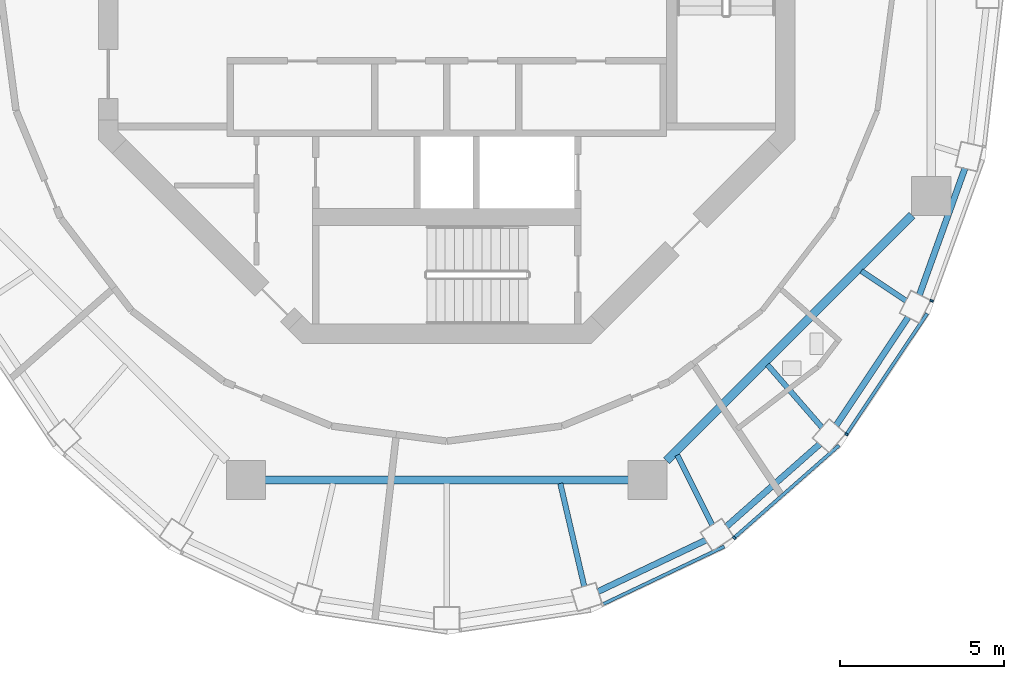
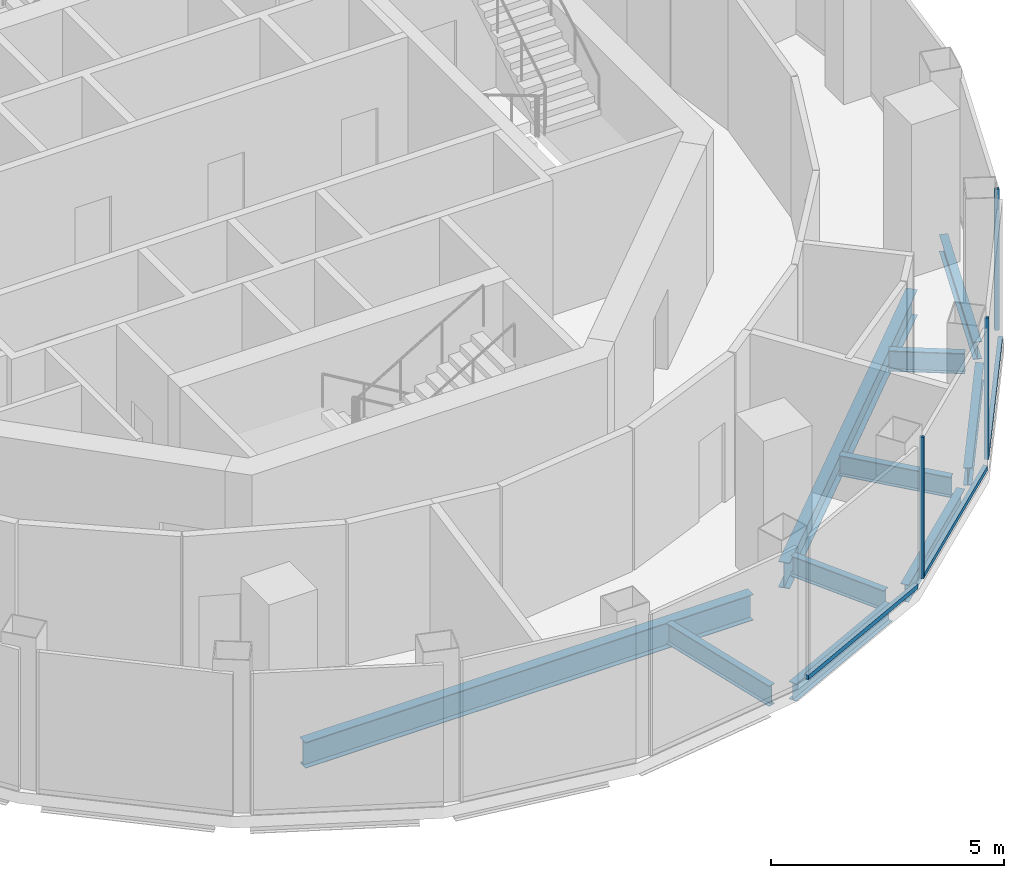
# One storey, part 3 of 12: 10 beams, 6 members, 4 elements without a shape of their own.
"""IFC4 building model written with IfcOpenShell, lengths in metres."""

import ifcopenshell
import ifcopenshell.guid

model = None  # the IFC model being written
_history = None  # IfcOwnerHistory: only IFC2X3 demands one
_inside = {}  # id of a spatial element -> (the spatial element, [elements in it])
_under = {}  # id of a project, library or spatial element -> (it, [spatial elements below it])
_declared = {}  # id of a project -> (the project, [libraries it declares])
_typed = {}  # id of a type object -> (the type object, [elements of that type])
_made_of = {}  # id of a material, layer set ... -> (it, [elements and type objects made of it])


def new_model(schema):
    """Start an empty IFC model of exactly this schema.

    Asked for "IFC4X3", IfcOpenShell would pick the latest addendum, in which some entities
    have other attributes; the version numbers below select the first issue.
    IFC2X3 requires an IfcOwnerHistory on every rooted entity: one is made here for all.
    """
    global model, _history
    if schema == "IFC4X3":
        model = ifcopenshell.file(schema_version=(4, 3, 0, 0))
    else:
        model = ifcopenshell.file(schema=schema)
    _inside.clear()
    _under.clear()
    _declared.clear()
    _typed.clear()
    _made_of.clear()
    _history = None
    if model.schema == "IFC2X3":
        org = make("IfcOrganization", Name="unknown")
        user = make(
            "IfcPersonAndOrganization",
            ThePerson=make("IfcPerson", FamilyName="unknown"),
            TheOrganization=org,
        )
        app = make(
            "IfcApplication",
            ApplicationDeveloper=org,
            Version="unknown",
            ApplicationFullName="unknown",
            ApplicationIdentifier="unknown",
        )
        _history = make(
            "IfcOwnerHistory",
            OwningUser=user,
            OwningApplication=app,
            ChangeAction="ADDED",
            CreationDate=0,
        )
    return model


def make(cls, **values):
    """One entity of the class cls with the attributes given. An attribute that is None is left unset."""
    return model.create_entity(
        cls, **{name: value for name, value in values.items() if value is not None}
    )


def rooted(cls, **values):
    """An entity with a GlobalId (a new one), such as an element, a storey or a relation."""
    return make(cls, GlobalId=ifcopenshell.guid.new(), OwnerHistory=_history, **values)


def si_unit(unit_type, name, prefix=None):
    """IfcSIUnit, for example si_unit("LENGTHUNIT", "METRE", prefix="MILLI")."""
    return make("IfcSIUnit", UnitType=unit_type, Prefix=prefix, Name=name)


def assignment(units):
    """IfcUnitAssignment: the units of a project."""
    return None if units is None else make("IfcUnitAssignment", Units=units)


def point(xyz):
    """IfcCartesianPoint."""
    return None if xyz is None else make("IfcCartesianPoint", Coordinates=xyz)


def direction(xyz):
    """IfcDirection."""
    return None if xyz is None else make("IfcDirection", DirectionRatios=xyz)


def frame(location, z_axis=None, x_axis=None):
    """IfcAxis2Placement3D, a coordinate frame: its origin and axes. An axis left out is left unset."""
    return make(
        "IfcAxis2Placement3D",
        Location=point(location),
        Axis=direction(z_axis),
        RefDirection=direction(x_axis),
    )


def frame_2d(location, x_axis=None):
    """IfcAxis2Placement2D, a coordinate frame in the plane: its origin and x axis."""
    return make(
        "IfcAxis2Placement2D", Location=point(location), RefDirection=direction(x_axis)
    )


def origin():
    """The frame at (0, 0, 0) with its axes left unset."""
    return frame((0.0, 0.0, 0.0))


def origin_2d():
    """The frame at (0, 0) in the plane with its x axis left unset."""
    return frame_2d((0.0, 0.0))


def place(relative_to, where):
    """IfcLocalPlacement: puts the frame where relative to a parent placement (None: the world)."""
    return make(
        "IfcLocalPlacement", PlacementRelTo=relative_to, RelativePlacement=where
    )


def context(
    kind, dimensions, precision=None, world=None, true_north=None, identifier=None
):
    """IfcGeometricRepresentationContext, for example the 3D "Model" context."""
    return make(
        "IfcGeometricRepresentationContext",
        ContextIdentifier=identifier,
        ContextType=kind,
        CoordinateSpaceDimension=dimensions,
        Precision=precision,
        WorldCoordinateSystem=world,
        TrueNorth=true_north,
    )


def subcontext(parent, identifier, kind, view, scale=None):
    """IfcGeometricRepresentationSubContext, for example "Body" below "Model"."""
    return make(
        "IfcGeometricRepresentationSubContext",
        ContextIdentifier=identifier,
        ContextType=kind,
        ParentContext=parent,
        TargetScale=scale,
        TargetView=view,
    )


def project(units=None, contexts=None):
    """IfcProject with its units and contexts."""
    return rooted(
        "IfcProject",
        Name="project",
        RepresentationContexts=contexts,
        UnitsInContext=assignment(units),
    )


def spatial(cls, under=None, at=None, **own):
    """A site, building, storey or space (cls), placed at a placement, below another one or the project."""
    s = rooted(cls, ObjectPlacement=at, **own)
    if under is not None:
        _under.setdefault(under.id(), (under, []))[1].append(s)
    return s


def profile(cls, at=None, kind="AREA", **sizes):
    """A parametric profile (cls). Its sizes go by their IFC names, for example OverallWidth=200.0."""
    return make(cls, ProfileType=kind, Position=at, **sizes)


def rectangle(**sizes):
    """IfcRectangleProfileDef."""
    return profile("IfcRectangleProfileDef", **sizes)


def i_section(**sizes):
    """IfcIShapeProfileDef."""
    return profile("IfcIShapeProfileDef", **sizes)


def extrude(swept, where, along, depth):
    """IfcExtrudedAreaSolid: the profile swept, set in the frame where, extruded along a direction by depth."""
    return make(
        "IfcExtrudedAreaSolid",
        SweptArea=swept,
        Position=where,
        ExtrudedDirection=direction(along),
        Depth=depth,
    )


def shape(context_of_items, identifier, shape_type, items):
    """IfcShapeRepresentation: the items that make up one representation, for example the "Body"."""
    return make(
        "IfcShapeRepresentation",
        ContextOfItems=context_of_items,
        RepresentationIdentifier=identifier,
        RepresentationType=shape_type,
        Items=items,
    )


def material(Name=None, Category=None):
    """IfcMaterial."""
    return make("IfcMaterial", Name=Name, Category=Category)


def layer(
    of_material, thickness, ventilated=None, Name=None, Category=None, Priority=None
):
    """IfcMaterialLayer: one layer of a wall or slab, of a material (None: an air gap)."""
    return make(
        "IfcMaterialLayer",
        Material=of_material,
        LayerThickness=thickness,
        IsVentilated=ventilated,
        Name=Name,
        Category=Category,
        Priority=Priority,
    )


def layer_set(layers, Name=None):
    """IfcMaterialLayerSet."""
    return make("IfcMaterialLayerSet", MaterialLayers=layers, LayerSetName=Name)


def material_profile(
    of_material, cross_section, Name=None, Category=None, Priority=None
):
    """IfcMaterialProfile: a cross section and its material."""
    return make(
        "IfcMaterialProfile",
        Name=Name,
        Material=of_material,
        Profile=cross_section,
        Priority=Priority,
        Category=Category,
    )


def profile_set(profiles, Name=None, composite=None):
    """IfcMaterialProfileSet."""
    return make(
        "IfcMaterialProfileSet",
        Name=Name,
        MaterialProfiles=profiles,
        CompositeProfile=composite,
    )


def made_of(thing, what):
    """Note that an element or type object is made of a material, layer set ...; save() writes the relation."""
    if what is not None:
        _made_of.setdefault(what.id(), (what, []))[1].append(thing)
    return thing


def type_object(cls, material=None, **own):
    """A type object (cls), such as IfcWallType, which elements share."""
    return made_of(rooted(cls, **own), material)


def element(
    cls,
    number,
    at=None,
    inside=None,
    cuts=None,
    type_object=None,
    material=None,
    context=None,
    identifier="Body",
    shape_type=None,
    held_by="IfcProductDefinitionShape",
    body=None,
    shapes=None,
    **own,
):
    """One element of the class cls, such as IfcWall. Its Tag is "e" and its number.

    at: its placement. inside: the storey or other place that contains it. cuts: it is an
    opening in that element (IfcRelVoidsElement). A single representation is given by context,
    identifier, shape_type and body (its items); several are given by shapes. held_by: the class
    of the entity that holds the representations. save() writes the other relations.
    """
    e = rooted(cls, Tag="e%d" % number, ObjectPlacement=at, **own)
    if body is not None:
        shapes = [shape(context, identifier, shape_type, body)]
    if shapes is not None:
        e.Representation = make(held_by, Representations=shapes)
    if inside is not None:
        _inside.setdefault(inside.id(), (inside, []))[1].append(e)
    if cuts is not None:
        rooted(
            "IfcRelVoidsElement", RelatingBuildingElement=cuts, RelatedOpeningElement=e
        )
    if type_object is not None:
        _typed.setdefault(type_object.id(), (type_object, []))[1].append(e)
    return made_of(e, material)


def aggregate(whole, parts):
    """IfcRelAggregates: a whole, such as a stair, and the parts it consists of."""
    return rooted("IfcRelAggregates", RelatingObject=whole, RelatedObjects=parts)


def save(model, path):
    """Write the relations noted so far, then the file.

    IfcRelAggregates (storeys below a building ...), IfcRelContainedInSpatialStructure (elements
    in a storey), IfcRelDefinesByType, IfcRelAssociatesMaterial and IfcRelDeclares: one each for
    every whole, place, type object, material and project.
    """
    for whole, parts in _under.values():
        aggregate(whole, parts)
    for where, things in _inside.values():
        rooted(
            "IfcRelContainedInSpatialStructure",
            RelatedElements=things,
            RelatingStructure=where,
        )
    for kind, things in _typed.values():
        rooted("IfcRelDefinesByType", RelatedObjects=things, RelatingType=kind)
    for what, things in _made_of.values():
        rooted("IfcRelAssociatesMaterial", RelatedObjects=things, RelatingMaterial=what)
    for by, libraries in _declared.values():
        rooted("IfcRelDeclares", RelatingContext=by, RelatedDefinitions=libraries)
    model.write(path)


model = new_model("IFC4")

# Units and contexts
model_context = context("Model", 3, precision=1e-05, world=origin(), true_north=direction((0.0, 1.0)))
body_context = subcontext(model_context, "Body", "Model", "MODEL_VIEW")
ifc_project = project(units=[si_unit("LENGTHUNIT", "METRE"), si_unit("AREAUNIT", "SQUARE_METRE"), si_unit("VOLUMEUNIT", "CUBIC_METRE"), si_unit("PLANEANGLEUNIT", "RADIAN"), si_unit("MASSUNIT", "GRAM", prefix="KILO")], contexts=[model_context])

# Site, building, storey
site_placement = place(None, origin())
site = spatial("IfcSite", under=ifc_project, at=site_placement, CompositionType="ELEMENT")
building_placement = place(site_placement, origin())
building = spatial("IfcBuilding", under=site, at=building_placement, Name="Nagisa Residences", CompositionType="ELEMENT")
storey_placement = place(building_placement, frame((0.0, 0.0, 328.89990234375)))
storey = spatial("IfcBuildingStorey", under=building, at=storey_placement, Name="L81", CompositionType="ELEMENT", Elevation=328.89990234375)

# Curtain wall, member
ifc_material_1 = material(Name="Aluminium curtain wall system", Category="aluminium")
ifc_layer = layer(ifc_material_1, 0.159912109375)
ifc_layer_set = layer_set([ifc_layer], Name="CW5 CURTAIN WALL")
curtain_wall_type = type_object("IfcCurtainWallType", Name="CW5 CURTAIN WALL", PredefinedType="NOTDEFINED", material=ifc_layer_set)
curtain_wall_1_placement = place(storey_placement, origin())
curtain_wall_1 = element("IfcCurtainWall", 1, at=curtain_wall_1_placement, inside=storey, type_object=curtain_wall_type, Name="cw:CW5:L81:20", PredefinedType="NOTDEFINED")
ifc_material_2 = material(Name="Aluminium", Category="aluminium")
ifc_material_profile_1 = material_profile(ifc_material_2, rectangle(XDim=0.10009765625, YDim=0.06005859375, at=origin_2d()), Name="CW5 MULLION 100x60")
ifc_profile_set_1 = profile_set([ifc_material_profile_1], Name="Aluminium")
member_type_1 = type_object("IfcMemberType", Name="CW5 MULLION 100x60", PredefinedType="MULLION", material=ifc_profile_set_1)
member_1_placement = place(storey_placement, frame((8.77001953125, -16.54345703125, 0.0), z_axis=(0.0, 0.0, 1.0), x_axis=(-0.660699467703, 0.750650526795, 0.0)))
member_1 = element("IfcMember", 2, at=member_1_placement, type_object=member_type_1, Name="CW5 mullion", PredefinedType="MULLION", context=body_context, shape_type="SweptSolid", body=[
    extrude(rectangle(XDim=0.10009765625, YDim=0.06005859375, at=origin_2d()), origin(), (0.0, 0.0, 1.0), 3.7001953125),
])

curtain_wall_2_placement = place(storey_placement, origin())
curtain_wall_2 = element("IfcCurtainWall", 3, at=curtain_wall_2_placement, inside=storey, type_object=curtain_wall_type, Name="cw:CW5:L81:21", PredefinedType="NOTDEFINED")
member_2_placement = place(storey_placement, frame((12.193359375, -13.38671875, 0.0), z_axis=(0.0, 0.0, 1.0), x_axis=(-0.831172662415, 0.556014393027, 0.0)))
member_2 = element("IfcMember", 4, at=member_2_placement, type_object=member_type_1, Name="CW5 mullion", PredefinedType="MULLION", context=body_context, shape_type="SweptSolid", body=[
    extrude(rectangle(XDim=0.10009765625, YDim=0.06005859375, at=origin_2d()), origin(), (0.0, 0.0, 1.0), 3.7001953125),
])

curtain_wall_3_placement = place(storey_placement, origin())
curtain_wall_3 = element("IfcCurtainWall", 5, at=curtain_wall_3_placement, inside=storey, type_object=curtain_wall_type, Name="cw:CW5:L81:22", PredefinedType="NOTDEFINED")
member_3_placement = place(storey_placement, frame((14.793212890625, -9.318359375, 0.0), z_axis=(0.0, 0.0, 1.0), x_axis=(-0.940554456033, 0.339642923136, 0.0)))
member_3 = element("IfcMember", 6, at=member_3_placement, type_object=member_type_1, Name="CW5 mullion", PredefinedType="MULLION", context=body_context, shape_type="SweptSolid", body=[
    extrude(rectangle(XDim=0.10009765625, YDim=0.06005859375, at=origin_2d()), origin(), (0.0, 0.0, 1.0), 3.7001953125),
])
aggregate(curtain_wall_3, [member_3])

curtain_wall_4_placement = place(storey_placement, origin())
curtain_wall_4 = element("IfcCurtainWall", 7, at=curtain_wall_4_placement, inside=storey, type_object=curtain_wall_type, Name="cw:CW5:L81:19", PredefinedType="NOTDEFINED")
ifc_material_3 = material(Name="Aluminium", Category="aluminium")
ifc_material_profile_2 = material_profile(ifc_material_3, rectangle(XDim=0.10009765625, YDim=0.1201171875, at=origin_2d()), Name="CW5 TRANSOM 100x120")
ifc_profile_set_2 = profile_set([ifc_material_profile_2], Name="Aluminium")
member_type_2 = type_object("IfcMemberType", Name="CW5 TRANSOM 100x120", PredefinedType="USERDEFINED", material=ifc_profile_set_2)
member_4_placement = place(storey_placement, frame((4.726806640625, -18.591552734375, 0.06005859375), z_axis=(0.903235211694, 0.429145840426, 0.0), x_axis=(-0.429145840426, 0.903235211694, 0.0)))
member_4 = element("IfcMember", 8, at=member_4_placement, type_object=member_type_2, Name="CW5 transom", ObjectType="TRANSOM", PredefinedType="USERDEFINED", context=body_context, shape_type="SweptSolid", body=[
    extrude(rectangle(XDim=0.10009765625, YDim=0.1201171875, at=origin_2d()), origin(), (0.0, 0.0, 1.0), 4.139404296875),
])
aggregate(curtain_wall_4, [member_4])

# Member
member_5_placement = place(storey_placement, frame((8.747314453125, -16.563232421875, 0.06005859375), z_axis=(0.750655944686, 0.66069331214, 0.0), x_axis=(-0.66069331214, 0.750655944686, 0.0)))
member_5 = element("IfcMember", 9, at=member_5_placement, type_object=member_type_2, Name="CW5 transom", ObjectType="TRANSOM", PredefinedType="USERDEFINED", context=body_context, shape_type="SweptSolid", body=[
    extrude(rectangle(XDim=0.10009765625, YDim=0.1201171875, at=origin_2d()), origin(), (0.0, 0.0, 1.0), 4.29052734375),
])

aggregate(curtain_wall_1, [member_1, member_5])

member_6_placement = place(storey_placement, frame((12.1767578125, -13.41162109375, 0.06005859375), z_axis=(0.556026221044, 0.831164749921, 0.0), x_axis=(-0.831164749921, 0.556026221044, 0.0)))
member_6 = element("IfcMember", 10, at=member_6_placement, type_object=member_type_2, Name="CW5 transom", ObjectType="TRANSOM", PredefinedType="USERDEFINED", context=body_context, shape_type="SweptSolid", body=[
    extrude(rectangle(XDim=0.10009765625, YDim=0.1201171875, at=origin_2d()), origin(), (0.0, 0.0, 1.0), 4.458984375),
])

aggregate(curtain_wall_2, [member_2, member_6])

# Beams
ifc_material_4 = material(Name="Steel ASTM A572 Gr 50", Category="steel")
ifc_material_profile_3 = material_profile(ifc_material_4, i_section(OverallWidth=0.2529296875, OverallDepth=0.677978515625, WebThickness=0.01171875, FlangeThickness=0.016357421875, at=origin_2d()), Name="W690x125")
ifc_profile_set_3 = profile_set([ifc_material_profile_3], Name="Steel ASTM A572 Gr 50")
beam_type_1 = type_object("IfcBeamType", Name="Inner ring beam W690x125", PredefinedType="BEAM", material=ifc_profile_set_3)
beam_1_placement = place(storey_placement, frame((-5.54296875, -14.781982421875, -0.638916015625), z_axis=(1.0, 0.0, 0.0), x_axis=(0.0, 1.0, 0.0)))
element("IfcBeam", 11, at=beam_1_placement, inside=storey, type_object=beam_type_1, Name="beam:L81:ib6", PredefinedType="BEAM", context=body_context, shape_type="SweptSolid", body=[
    extrude(i_section(OverallWidth=0.2529296875, OverallDepth=0.677978515625, WebThickness=0.01171875, FlangeThickness=0.016357421875, at=origin_2d()), origin(), (0.0, 0.0, 1.0), 11.0859375),
])
beam_2_placement = place(storey_placement, frame((6.708740234375, -14.1962890625, -0.638916015625), z_axis=(0.707106781187, 0.707106781187, 0.0), x_axis=(-0.707106781187, 0.707106781187, 0.0)))
element("IfcBeam", 12, at=beam_2_placement, inside=storey, type_object=beam_type_1, Name="beam:L81:ib7", PredefinedType="BEAM", context=body_context, shape_type="SweptSolid", body=[
    extrude(i_section(OverallWidth=0.2529296875, OverallDepth=0.677978515625, WebThickness=0.01171875, FlangeThickness=0.016357421875, at=origin_2d()), origin(), (0.0, 0.0, 1.0), 10.589111328125),
])
ifc_material_5 = material(Name="Steel ASTM A572 Gr 50", Category="steel")
ifc_material_profile_4 = material_profile(ifc_material_5, i_section(OverallWidth=0.18994140625, OverallDepth=0.45703125, WebThickness=0.009033203125, FlangeThickness=0.014404296875, at=origin_2d()), Name="W460x74")
ifc_profile_set_4 = profile_set([ifc_material_profile_4], Name="Steel ASTM A572 Gr 50")
beam_type_2 = type_object("IfcBeamType", Name="Perimeter ring beam W460x74", PredefinedType="BEAM", material=ifc_profile_set_4)
beam_3_placement = place(storey_placement, frame((4.617431640625, -18.18701171875, -0.5283203125), z_axis=(0.902613702305, 0.430451512266, 0.0), x_axis=(-0.430451512266, 0.902613702305, 0.0)))
element("IfcBeam", 13, at=beam_3_placement, inside=storey, type_object=beam_type_2, Name="beam:L81:pb20", PredefinedType="BEAM", context=body_context, shape_type="SweptSolid", body=[
    extrude(i_section(OverallWidth=0.18994140625, OverallDepth=0.45703125, WebThickness=0.009033203125, FlangeThickness=0.014404296875, at=origin_2d()), origin(), (0.0, 0.0, 1.0), 3.640625),
])
beam_4_placement = place(storey_placement, frame((8.53759765625, -16.2001953125, -0.5283203125), z_axis=(0.749401876552, 0.662115418503, 0.0), x_axis=(-0.662115418503, 0.749401876552, 0.0)))
element("IfcBeam", 14, at=beam_4_placement, inside=storey, type_object=beam_type_2, Name="beam:L81:pb21", PredefinedType="BEAM", context=body_context, shape_type="SweptSolid", body=[
    extrude(i_section(OverallWidth=0.18994140625, OverallDepth=0.45703125, WebThickness=0.009033203125, FlangeThickness=0.014404296875, at=origin_2d()), origin(), (0.0, 0.0, 1.0), 3.792724609375),
])
beam_5_placement = place(storey_placement, frame((11.8798828125, -13.115966796875, -0.5283203125), z_axis=(0.554529560082, 0.832164026497, 0.0), x_axis=(-0.832164026497, 0.554529560082, 0.0)))
element("IfcBeam", 15, at=beam_5_placement, inside=storey, type_object=beam_type_2, Name="beam:L81:pb22", PredefinedType="BEAM", context=body_context, shape_type="SweptSolid", body=[
    extrude(i_section(OverallWidth=0.18994140625, OverallDepth=0.45703125, WebThickness=0.009033203125, FlangeThickness=0.014404296875, at=origin_2d()), origin(), (0.0, 0.0, 1.0), 3.96240234375),
])
beam_6_placement = place(storey_placement, frame((14.4189453125, -9.1396484375, -0.5283203125), z_axis=(0.338517252251, 0.940960185092, 0.0), x_axis=(-0.940960185092, 0.338517252251, 0.0)))
element("IfcBeam", 16, at=beam_6_placement, inside=storey, type_object=beam_type_2, Name="beam:L81:pb23", PredefinedType="BEAM", context=body_context, shape_type="SweptSolid", body=[
    extrude(i_section(OverallWidth=0.18994140625, OverallDepth=0.45703125, WebThickness=0.009033203125, FlangeThickness=0.014404296875, at=origin_2d()), origin(), (0.0, 0.0, 1.0), 4.1044921875),
])
ifc_material_6 = material(Name="Steel ASTM A572 Gr 50", Category="steel")
ifc_material_profile_5 = material_profile(ifc_material_6, i_section(OverallWidth=0.166015625, OverallDepth=0.534912109375, WebThickness=0.01025390625, FlangeThickness=0.0166015625, at=origin_2d()), Name="W530x85")
ifc_profile_set_5 = profile_set([ifc_material_profile_5], Name="Steel ASTM A572 Gr 50")
beam_type_3 = type_object("IfcBeamType", Name="Radial beam W530x85", PredefinedType="BEAM", material=ifc_profile_set_5)
beam_7_placement = place(storey_placement, frame((4.195556640625, -18.0302734375, -0.5673828125), z_axis=(-0.226650446588, 0.973976167604, 0.0), x_axis=(-0.973976167604, -0.226650446588, 0.0)))
element("IfcBeam", 17, at=beam_7_placement, inside=storey, type_object=beam_type_3, Name="beam:L81:rb20", PredefinedType="BEAM", context=body_context, shape_type="SweptSolid", body=[
    extrude(i_section(OverallWidth=0.166015625, OverallDepth=0.534912109375, WebThickness=0.01025390625, FlangeThickness=0.0166015625, at=origin_2d()), origin(), (0.0, 0.0, 1.0), 3.22509765625),
])
beam_8_placement = place(storey_placement, frame((8.10107421875, -16.1572265625, -0.5673828125), z_axis=(-0.448236908276, 0.893914802461, 0.0), x_axis=(-0.893914802461, -0.448236908276, 0.0)))
element("IfcBeam", 18, at=beam_8_placement, inside=storey, type_object=beam_type_3, Name="beam:L81:rb21", PredefinedType="BEAM", context=body_context, shape_type="SweptSolid", body=[
    extrude(i_section(OverallWidth=0.166015625, OverallDepth=0.534912109375, WebThickness=0.01025390625, FlangeThickness=0.0166015625, at=origin_2d()), origin(), (0.0, 0.0, 1.0), 2.385009765625),
])
beam_9_placement = place(storey_placement, frame((11.44873046875, -13.183349609375, -0.5673828125), z_axis=(-0.655718438616, 0.755005516045, 0.0), x_axis=(-0.755005516045, -0.655718438616, 0.0)))
element("IfcBeam", 19, at=beam_9_placement, inside=storey, type_object=beam_type_3, Name="beam:L81:rb22", PredefinedType="BEAM", context=body_context, shape_type="SweptSolid", body=[
    extrude(i_section(OverallWidth=0.166015625, OverallDepth=0.534912109375, WebThickness=0.01025390625, FlangeThickness=0.0166015625, at=origin_2d()), origin(), (0.0, 0.0, 1.0), 2.53515625),
])
beam_10_placement = place(storey_placement, frame((14.012451171875, -9.31591796875, -0.5673828125), z_axis=(-0.832714310154, 0.553702878505, 0.0), x_axis=(-0.553702878505, -0.832714310154, 0.0)))
element("IfcBeam", 20, at=beam_10_placement, inside=storey, type_object=beam_type_3, Name="beam:L81:rb23", PredefinedType="BEAM", context=body_context, shape_type="SweptSolid", body=[
    extrude(i_section(OverallWidth=0.166015625, OverallDepth=0.534912109375, WebThickness=0.01025390625, FlangeThickness=0.0166015625, at=origin_2d()), origin(), (0.0, 0.0, 1.0), 1.638916015625),
])

save(model, "model.ifc")
